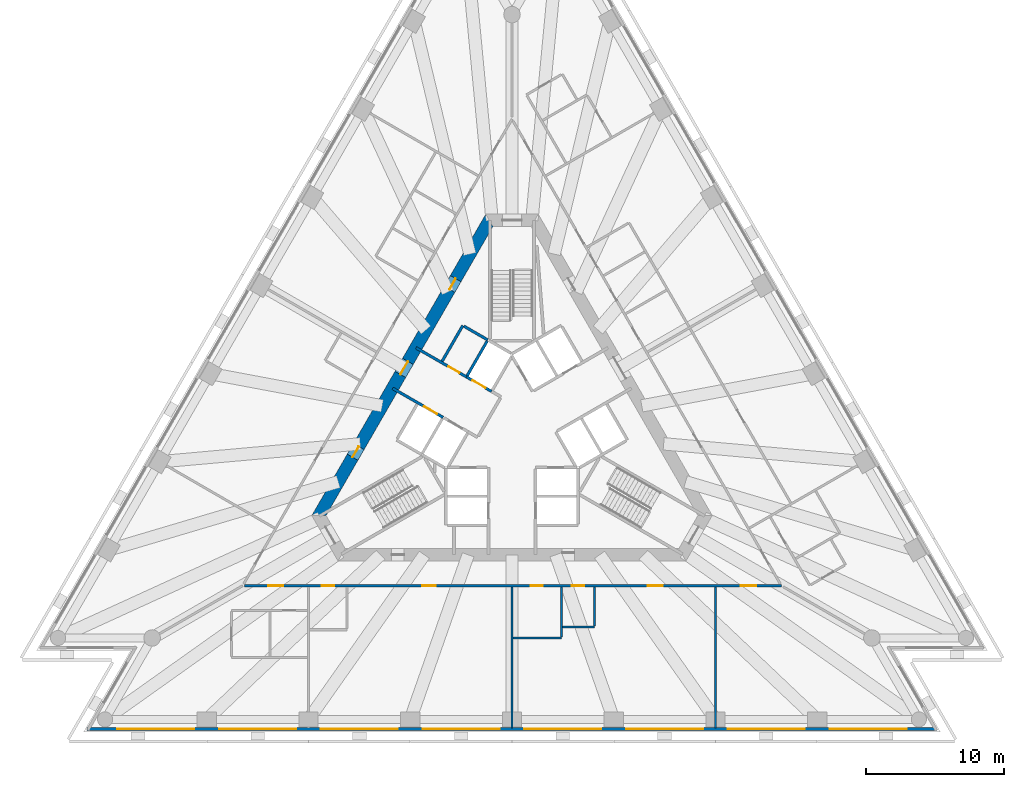
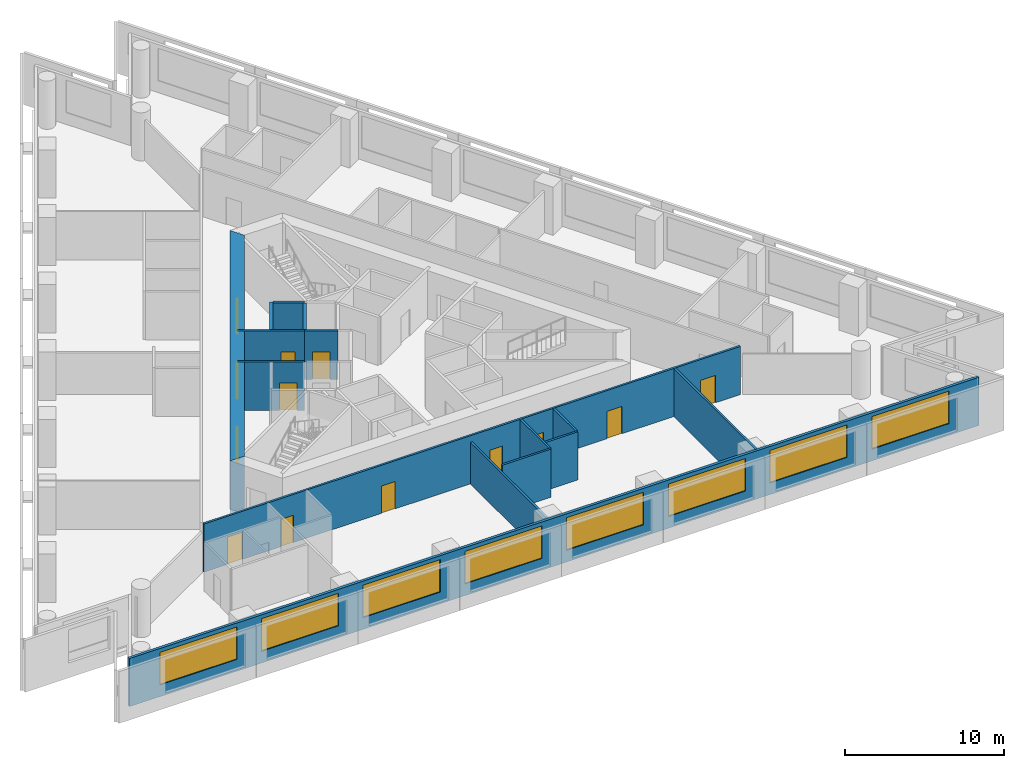
# One storey, part 4 of 11: 15 walls, 13 doors, 8 windows, 21 openings.
"""IFC4 building model written with IfcOpenShell, lengths in metres."""

from ifc_helpers import new_model, si_unit, direction, frame, frame_2d, origin, place, context, subcontext, project, spatial, polyline, rectangle, outline, extrude, material, layer, layer_set, layer_usage, type_object, element, fill, save


model = new_model("IFC4")

# Units and contexts
model_context = context("Model", 3, precision=1e-05, world=origin(), true_north=direction((0.0, 1.0)))
body_context = subcontext(model_context, "Body", "Model", "MODEL_VIEW")
ifc_project = project(units=[si_unit("LENGTHUNIT", "METRE"), si_unit("AREAUNIT", "SQUARE_METRE"), si_unit("VOLUMEUNIT", "CUBIC_METRE"), si_unit("PLANEANGLEUNIT", "RADIAN"), si_unit("MASSUNIT", "GRAM", prefix="KILO")], contexts=[model_context])

# Site, building, storey
site_placement = place(None, origin())
site = spatial("IfcSite", under=ifc_project, at=site_placement, CompositionType="ELEMENT")
building_placement = place(site_placement, origin())
building = spatial("IfcBuilding", under=site, at=building_placement, Name="Triada Interchange Tower", CompositionType="ELEMENT")
storey_placement = place(building_placement, frame((0.0, 0.0, 59.300048828125)))
storey = spatial("IfcBuildingStorey", under=building, at=storey_placement, Name="L12", CompositionType="ELEMENT", Elevation=59.300048828125)

# Wall, opening, door
ifc_material_1 = material(Name="Concrete C30/37", Category="concrete")
ifc_layer_1 = layer(ifc_material_1, 0.199951171875)
ifc_layer_set_1 = layer_set([ifc_layer_1], Name="CORE WALL 200 EI 180")
wall_type_1 = type_object("IfcWallType", Name="CORE WALL 200 EI 180", PredefinedType="SOLIDWALL", material=ifc_layer_set_1)
wall_1_placement = place(storey_placement, frame((-8.669921875, 3.04296875, 0.0), z_axis=(0.0, 0.0, 1.0), x_axis=(0.866029956157, -0.499992114976, 0.0)))
wall_1 = element("IfcWall", 1, at=wall_1_placement, inside=storey, type_object=wall_type_1, Name="Wall L12 69", PredefinedType="SOLIDWALL", context=body_context, shape_type="SweptSolid", body=[
    extrude(rectangle(XDim=4.23193359375, YDim=0.199951171875, at=frame_2d((2.115966796875, 0.0))), origin(), (0.0, 0.0, 1.0), 3.699951171875),
])
opening_1_placement = place(wall_1_placement, frame((2.6298828125, 0.0, 0.0)))
opening_1 = element("IfcOpeningElement", 2, at=opening_1_placement, cuts=wall_1, Name="Opening LD-SV1", PredefinedType="OPENING", context=body_context, shape_type="SweptSolid", body=[
    extrude(rectangle(XDim=1.10009765625, YDim=2.10009765625, at=frame_2d((0.550048828125, 1.050048828125))), frame((0.0, 0.10986328125, 0.0), z_axis=(0.0, -1.0, 0.0), x_axis=(1.0, 0.0, 0.0)), (0.0, 0.0, 1.0), 0.219970703125),
])
ifc_material_2 = material(Name="Steel S235 door leaf", Category="steel")
door_type_1 = type_object("IfcDoorType", Name="LIFT LANDING DOOR 1100 EI 120", OperationType="SLIDING_TO_LEFT", PredefinedType="DOOR", material=ifc_material_2)
door_1_placement = place(opening_1_placement, origin())
door_1 = element("IfcDoor", 3, at=door_1_placement, inside=storey, type_object=door_type_1, Name="SV1 landing door L12", OperationType="SLIDING_TO_LEFT", OverallHeight=2.10009765625, OverallWidth=1.10009765625, PredefinedType="DOOR", context=body_context, shape_type="SweptSolid", body=[
    extrude(rectangle(XDim=1.10009765625, YDim=2.10009765625, at=frame_2d((0.550048828125, 1.050048828125))), frame((0.0, 0.02490234375, 0.0), z_axis=(0.0, -1.0, 0.0), x_axis=(1.0, 0.0, 0.0)), (0.0, 0.0, 1.0), 0.050048828125),
])
fill(opening_1, door_1)

wall_2_placement = place(storey_placement, frame((-6.969970703125, 5.987060546875, 0.0), z_axis=(0.0, 0.0, 1.0), x_axis=(0.866029956157, -0.499992114976, 0.0)))
wall_2 = element("IfcWall", 4, at=wall_2_placement, inside=storey, type_object=wall_type_1, Name="Wall L12 71", PredefinedType="SOLIDWALL", context=body_context, shape_type="SweptSolid", body=[
    extrude(rectangle(XDim=4.23193359375, YDim=0.199951171875, at=frame_2d((2.115966796875, 0.0))), origin(), (0.0, 0.0, 1.0), 3.699951171875),
])
opening_2_placement = place(wall_2_placement, frame((2.72998046875, 0.0, 0.0)))
opening_2 = element("IfcOpeningElement", 5, at=opening_2_placement, cuts=wall_2, Name="Opening D12-10", PredefinedType="OPENING", context=body_context, shape_type="SweptSolid", body=[
    extrude(rectangle(XDim=0.89990234375, YDim=2.10009765625, at=frame_2d((0.449951171875, 1.050048828125))), frame((0.0, 0.10986328125, 0.0), z_axis=(0.0, -1.0, 0.0), x_axis=(1.0, 0.0, 0.0)), (0.0, 0.0, 1.0), 0.219970703125),
])
door_type_2 = type_object("IfcDoorType", Name="SERVICE DOOR 900 EI2 90-C5S200", OperationType="NOTDEFINED", PredefinedType="DOOR", material=ifc_material_2)
door_2_placement = place(opening_2_placement, origin())
door_2 = element("IfcDoor", 6, at=door_2_placement, inside=storey, type_object=door_type_2, Name="Door D12-10 L12", OperationType="SINGLE_SWING_LEFT", OverallHeight=2.10009765625, OverallWidth=0.89990234375, PredefinedType="DOOR", context=body_context, shape_type="SweptSolid", body=[
    extrude(rectangle(XDim=0.89990234375, YDim=2.10009765625, at=frame_2d((0.449951171875, 1.050048828125))), frame((0.0, 0.02490234375, 0.0), z_axis=(0.0, -1.0, 0.0), x_axis=(1.0, 0.0, 0.0)), (0.0, 0.0, 1.0), 0.050048828125),
])
fill(opening_2, door_2)

# Walls
wall_3_placement = place(storey_placement, frame((-5.075927734375, 5.009033203125, 0.0), z_axis=(0.0, 0.0, 1.0), x_axis=(0.50002537861, 0.866010750942, 0.0)))
element("IfcWall", 7, at=wall_3_placement, inside=storey, type_object=wall_type_1, Name="Wall L12 73", PredefinedType="SOLIDWALL", context=body_context, shape_type="SweptSolid", body=[
    extrude(rectangle(XDim=2.999755859375, YDim=0.199951171875, at=frame_2d((1.5, 0.0))), origin(), (0.0, 0.0, 1.0), 3.699951171875),
])
wall_4_placement = place(storey_placement, frame((-3.489013671875, 7.556884765625, 0.0), z_axis=(0.0, 0.0, 1.0), x_axis=(0.866010750942, -0.50002537861, 0.0)))
element("IfcWall", 8, at=wall_4_placement, inside=storey, type_object=wall_type_1, Name="Wall L12 74", PredefinedType="SOLIDWALL", context=body_context, shape_type="SweptSolid", body=[
    extrude(rectangle(XDim=2.0, YDim=0.199951171875, at=frame_2d((1.0, 0.0))), origin(), (0.0, 0.0, 1.0), 3.699951171875),
])

# Wall, opening, door
wall_5_placement = place(storey_placement, frame((-3.30908203125, 3.873046875, 0.0), z_axis=(0.0, 0.0, 1.0), x_axis=(0.866098583652, -0.499873227325, 0.0)))
wall_5 = element("IfcWall", 9, at=wall_5_placement, inside=storey, type_object=wall_type_1, Name="Shaft wall FF2 L12 80", PredefinedType="SOLIDWALL", context=body_context, shape_type="SweptSolid", body=[
    extrude(rectangle(XDim=2.1025390625, YDim=0.199951171875, at=frame_2d((1.05126953125, 0.0))), origin(), (0.0, 0.0, 1.0), 3.699951171875),
])
opening_3_placement = place(wall_5_placement, frame((0.501953125, 0.0, 0.0)))
opening_3 = element("IfcOpeningElement", 10, at=opening_3_placement, cuts=wall_5, Name="Opening LD-FF2", PredefinedType="OPENING", context=body_context, shape_type="SweptSolid", body=[
    extrude(rectangle(XDim=1.10009765625, YDim=2.10009765625, at=frame_2d((0.550048828125, 1.050048828125))), frame((0.0, 0.10986328125, 0.0), z_axis=(0.0, -1.0, 0.0), x_axis=(1.0, 0.0, 0.0)), (0.0, 0.0, 1.0), 0.219970703125),
])
door_3_placement = place(opening_3_placement, origin())
door_3 = element("IfcDoor", 11, at=door_3_placement, inside=storey, type_object=door_type_1, Name="FF2 landing door L12", OperationType="SLIDING_TO_LEFT", OverallHeight=2.10009765625, OverallWidth=1.10009765625, PredefinedType="DOOR", context=body_context, shape_type="SweptSolid", body=[
    extrude(rectangle(XDim=1.10009765625, YDim=2.10009765625, at=frame_2d((0.550048828125, 1.050048828125))), frame((0.0, 0.02490234375, 0.0), z_axis=(0.0, -1.0, 0.0), x_axis=(1.0, 0.0, 0.0)), (0.0, 0.0, 1.0), 0.050048828125),
])
fill(opening_3, door_3)

# Wall
wall_6_placement = place(storey_placement, frame((-3.257080078125, 3.958984375, 0.0), z_axis=(0.0, 0.0, 1.0), x_axis=(0.50012328804, 0.865954211699, 0.0)))
element("IfcWall", 12, at=wall_6_placement, inside=storey, type_object=wall_type_1, Name="Shaft wall FF2 L12 81", PredefinedType="SOLIDWALL", context=body_context, shape_type="SweptSolid", body=[
    extrude(rectangle(XDim=2.899658203125, YDim=0.199951171875, at=frame_2d((1.44970703125, 0.0))), origin(), (0.0, 0.0, 1.0), 3.699951171875),
])

# Wall, openings, doors
ifc_material_3 = material(Name="Concrete C70/85", Category="concrete")
ifc_layer_2 = layer(ifc_material_3, 0.89990234375)
ifc_layer_set_2 = layer_set([ifc_layer_2], Name="Core wall A 900")
wall_type_2 = type_object("IfcWallType", Name="Core wall A 900", PredefinedType="SHEAR", material=ifc_layer_set_2)
wall_7_placement = place(storey_placement, frame((-1.64501953125, 15.25, -0.300048828125), z_axis=(0.0, 0.0, 1.0), x_axis=(-0.500026485275, -0.866010111964, 0.0)))
wall_7 = element("IfcWall", 13, at=wall_7_placement, inside=storey, type_object=wall_type_2, Name="Core wall WA02 L12", PredefinedType="SHEAR", context=body_context, shape_type="SweptSolid", body=[
    extrude(outline(polyline([(-0.260009765625, -0.449951171875), (1.685302734375, -0.449951171875), (3.63037109375, -0.44970703125), (5.57568359375, -0.44970703125), (7.52099609375, -0.44970703125), (9.466064453125, -0.449462890625), (11.411376953125, -0.449462890625), (13.356689453125, -0.449462890625), (15.302001953125, -0.449462890625), (17.2470703125, -0.44921875), (19.1923828125, -0.44921875), (21.1376953125, -0.44921875), (23.082763671875, -0.448974609375), (25.028076171875, -0.448974609375), (24.509033203125, 0.449951171875), (22.643798828125, 0.449951171875), (20.7783203125, 0.44970703125), (18.9130859375, 0.44970703125), (17.0478515625, 0.44970703125), (15.182373046875, 0.449462890625), (13.317138671875, 0.449462890625), (11.451904296875, 0.449462890625), (9.586669921875, 0.449462890625), (7.72119140625, 0.44921875), (5.85595703125, 0.44921875), (3.99072265625, 0.44921875), (2.125244140625, 0.448974609375), (0.260009765625, 0.448974609375), (-0.260009765625, -0.449951171875)])), origin(), (0.0, 0.0, 1.0), 4.0),
])
opening_4_placement = place(wall_7_placement, frame((11.833984375, 0.0, 0.300048828125)))
opening_4 = element("IfcOpeningElement", 14, at=opening_4_placement, cuts=wall_7, Name="Opening D12-44", PredefinedType="OPENING", context=body_context, shape_type="SweptSolid", body=[
    extrude(rectangle(XDim=1.10009765625, YDim=2.10009765625, at=frame_2d((0.550048828125, 1.050048828125))), frame((0.0, 0.4599609375, 0.0), z_axis=(0.0, -1.0, 0.0), x_axis=(1.0, 0.0, 0.0)), (0.0, 0.0, 1.0), 0.919921875),
])
opening_5_placement = place(wall_7_placement, frame((18.97607421875, 0.0, 0.300048828125)))
opening_5 = element("IfcOpeningElement", 15, at=opening_5_placement, cuts=wall_7, Name="Opening D12-45", PredefinedType="OPENING", context=body_context, shape_type="SweptSolid", body=[
    extrude(rectangle(XDim=0.89990234375, YDim=2.10009765625, at=frame_2d((0.449951171875, 1.050048828125))), frame((0.0, 0.4599609375, 0.0), z_axis=(0.0, -1.0, 0.0), x_axis=(1.0, 0.0, 0.0)), (0.0, 0.0, 1.0), 0.919921875),
])
opening_6_placement = place(wall_7_placement, frame((4.89208984375, 0.0, 0.300048828125)))
opening_6 = element("IfcOpeningElement", 16, at=opening_6_placement, cuts=wall_7, Name="Opening D12-48", PredefinedType="OPENING", context=body_context, shape_type="SweptSolid", body=[
    extrude(rectangle(XDim=0.89990234375, YDim=2.10009765625, at=frame_2d((0.449951171875, 1.050048828125))), frame((0.0, 0.4599609375, 0.0), z_axis=(0.0, -1.0, 0.0), x_axis=(1.0, 0.0, 0.0)), (0.0, 0.0, 1.0), 0.919921875),
])
door_type_3 = type_object("IfcDoorType", Name="FIRE LOBBY DOOR 1100 EI2 90-C5S200", OperationType="NOTDEFINED", PredefinedType="DOOR", material=ifc_material_2)
door_4_placement = place(opening_4_placement, origin())
door_4 = element("IfcDoor", 17, at=door_4_placement, inside=storey, type_object=door_type_3, Name="Door D12-44 L12", OperationType="SINGLE_SWING_LEFT", OverallHeight=2.10009765625, OverallWidth=1.10009765625, PredefinedType="DOOR", context=body_context, shape_type="SweptSolid", body=[
    extrude(rectangle(XDim=1.10009765625, YDim=2.10009765625, at=frame_2d((0.550048828125, 1.050048828125))), frame((0.0, 0.02490234375, 0.0), z_axis=(0.0, -1.0, 0.0), x_axis=(1.0, 0.0, 0.0)), (0.0, 0.0, 1.0), 0.050048828125),
])
fill(opening_4, door_4)
door_type_4 = type_object("IfcDoorType", Name="SERVICE DOOR 900 EI2 45-C5S200", OperationType="NOTDEFINED", PredefinedType="DOOR", material=ifc_material_2)
door_5_placement = place(opening_5_placement, origin())
door_5 = element("IfcDoor", 18, at=door_5_placement, inside=storey, type_object=door_type_4, Name="Door D12-45 L12", OperationType="SINGLE_SWING_LEFT", OverallHeight=2.10009765625, OverallWidth=0.89990234375, PredefinedType="DOOR", context=body_context, shape_type="SweptSolid", body=[
    extrude(rectangle(XDim=0.89990234375, YDim=2.10009765625, at=frame_2d((0.449951171875, 1.050048828125))), frame((0.0, 0.02490234375, 0.0), z_axis=(0.0, -1.0, 0.0), x_axis=(1.0, 0.0, 0.0)), (0.0, 0.0, 1.0), 0.050048828125),
])
fill(opening_5, door_5)
door_6_placement = place(opening_6_placement, origin())
door_6 = element("IfcDoor", 19, at=door_6_placement, inside=storey, type_object=door_type_4, Name="Door D12-48 L12", OperationType="SINGLE_SWING_LEFT", OverallHeight=2.10009765625, OverallWidth=0.89990234375, PredefinedType="DOOR", context=body_context, shape_type="SweptSolid", body=[
    extrude(rectangle(XDim=0.89990234375, YDim=2.10009765625, at=frame_2d((0.449951171875, 1.050048828125))), frame((0.0, 0.02490234375, 0.0), z_axis=(0.0, -1.0, 0.0), x_axis=(1.0, 0.0, 0.0)), (0.0, 0.0, 1.0), 0.050048828125),
])
fill(opening_6, door_6)

# Wall, openings, windows
ifc_material_4 = material(Name="Cement board")
ifc_layer_3 = layer(ifc_material_4, 0.02001953125, Name="Cement board cladding")
ifc_material_5 = material(Name="Sheathing board")
ifc_layer_4 = layer(ifc_material_5, 0.014892578125, Name="Sheathing board")
ifc_material_6 = material(Name="Mineral wool")
ifc_layer_5 = layer(ifc_material_6, 0.14990234375, Name="Mineral wool between steel studs")
ifc_material_7 = material(Name="Gypsum board")
ifc_layer_6 = layer(ifc_material_7, 0.014892578125, Name="Plasterboard lining")
ifc_layer_set_3 = layer_set([ifc_layer_3, ifc_layer_4, ifc_layer_5, ifc_layer_6], Name="External wall 200")
ifc_layer_usage = layer_usage(ifc_layer_set_3, "AXIS2", "POSITIVE", -0.10009765625)
wall_type_3 = type_object("IfcWallType", Name="External wall 200", PredefinedType="ELEMENTEDWALL", material=ifc_layer_set_3)
wall_8_placement = place(storey_placement, frame((-30.868896484375, -21.715087890625, 0.0), z_axis=(0.0, 0.0, 1.0), x_axis=(1.0, 0.0, 0.0)))
wall_8 = element("IfcWall", 20, at=wall_8_placement, inside=storey, type_object=wall_type_3, material=ifc_layer_usage, Name="External wall L12 S", PredefinedType="ELEMENTEDWALL", context=body_context, shape_type="SweptSolid", body=[
    extrude(rectangle(XDim=61.718017578125, YDim=0.199951171875, at=frame_2d((30.85888671875, 0.0))), origin(), (0.0, 0.0, 1.0), 3.699951171875),
])
opening_7_placement = place(wall_8_placement, frame((2.198974609375, 0.0, 0.89990234375)))
opening_7 = element("IfcOpeningElement", 21, at=opening_7_placement, cuts=wall_8, Name="Opening WA11", PredefinedType="OPENING", context=body_context, shape_type="SweptSolid", body=[
    extrude(rectangle(XDim=5.60009765625, YDim=2.5, at=frame_2d((2.800048828125, 1.25))), frame((0.0, 0.10986328125, 0.0), z_axis=(0.0, -1.0, 0.0), x_axis=(1.0, 0.0, 0.0)), (0.0, 0.0, 1.0), 0.219970703125),
])
opening_8_placement = place(wall_8_placement, frame((9.590087890625, 0.0, 0.89990234375)))
opening_8 = element("IfcOpeningElement", 22, at=opening_8_placement, cuts=wall_8, Name="Opening WA12", PredefinedType="OPENING", context=body_context, shape_type="SweptSolid", body=[
    extrude(rectangle(XDim=5.60009765625, YDim=2.5, at=frame_2d((2.800048828125, 1.25))), frame((0.0, 0.10986328125, 0.0), z_axis=(0.0, -1.0, 0.0), x_axis=(1.0, 0.0, 0.0)), (0.0, 0.0, 1.0), 0.219970703125),
])
opening_9_placement = place(wall_8_placement, frame((16.98193359375, 0.0, 0.89990234375)))
opening_9 = element("IfcOpeningElement", 23, at=opening_9_placement, cuts=wall_8, Name="Opening WA13", PredefinedType="OPENING", context=body_context, shape_type="SweptSolid", body=[
    extrude(rectangle(XDim=5.60009765625, YDim=2.5, at=frame_2d((2.800048828125, 1.25))), frame((0.0, 0.10986328125, 0.0), z_axis=(0.0, -1.0, 0.0), x_axis=(1.0, 0.0, 0.0)), (0.0, 0.0, 1.0), 0.219970703125),
])
opening_10_placement = place(wall_8_placement, frame((24.373046875, 0.0, 0.89990234375)))
opening_10 = element("IfcOpeningElement", 24, at=opening_10_placement, cuts=wall_8, Name="Opening WA14", PredefinedType="OPENING", context=body_context, shape_type="SweptSolid", body=[
    extrude(rectangle(XDim=5.60009765625, YDim=2.5, at=frame_2d((2.800048828125, 1.25))), frame((0.0, 0.10986328125, 0.0), z_axis=(0.0, -1.0, 0.0), x_axis=(1.0, 0.0, 0.0)), (0.0, 0.0, 1.0), 0.219970703125),
])
opening_11_placement = place(wall_8_placement, frame((31.764892578125, 0.0, 0.89990234375)))
opening_11 = element("IfcOpeningElement", 25, at=opening_11_placement, cuts=wall_8, Name="Opening WA15", PredefinedType="OPENING", context=body_context, shape_type="SweptSolid", body=[
    extrude(rectangle(XDim=5.60009765625, YDim=2.5, at=frame_2d((2.800048828125, 1.25))), frame((0.0, 0.10986328125, 0.0), z_axis=(0.0, -1.0, 0.0), x_axis=(1.0, 0.0, 0.0)), (0.0, 0.0, 1.0), 0.219970703125),
])
opening_12_placement = place(wall_8_placement, frame((39.156005859375, 0.0, 0.89990234375)))
opening_12 = element("IfcOpeningElement", 26, at=opening_12_placement, cuts=wall_8, Name="Opening WA16", PredefinedType="OPENING", context=body_context, shape_type="SweptSolid", body=[
    extrude(rectangle(XDim=5.60009765625, YDim=2.5, at=frame_2d((2.800048828125, 1.25))), frame((0.0, 0.10986328125, 0.0), z_axis=(0.0, -1.0, 0.0), x_axis=(1.0, 0.0, 0.0)), (0.0, 0.0, 1.0), 0.219970703125),
])
opening_13_placement = place(wall_8_placement, frame((46.548095703125, 0.0, 0.89990234375)))
opening_13 = element("IfcOpeningElement", 27, at=opening_13_placement, cuts=wall_8, Name="Opening WA17", PredefinedType="OPENING", context=body_context, shape_type="SweptSolid", body=[
    extrude(rectangle(XDim=5.60009765625, YDim=2.5, at=frame_2d((2.800048828125, 1.25))), frame((0.0, 0.10986328125, 0.0), z_axis=(0.0, -1.0, 0.0), x_axis=(1.0, 0.0, 0.0)), (0.0, 0.0, 1.0), 0.219970703125),
])
opening_14_placement = place(wall_8_placement, frame((53.93896484375, 0.0, 0.89990234375)))
opening_14 = element("IfcOpeningElement", 28, at=opening_14_placement, cuts=wall_8, Name="Opening WA18", PredefinedType="OPENING", context=body_context, shape_type="SweptSolid", body=[
    extrude(rectangle(XDim=5.60009765625, YDim=2.5, at=frame_2d((2.800048828125, 1.25))), frame((0.0, 0.10986328125, 0.0), z_axis=(0.0, -1.0, 0.0), x_axis=(1.0, 0.0, 0.0)), (0.0, 0.0, 1.0), 0.219970703125),
])
ifc_material_8 = material(Name="Double glazed aluminium window", Category="aluminium")
window_type = type_object("IfcWindowType", Name="Ribbon window A face", PartitioningType="SINGLE_PANEL", PredefinedType="WINDOW", material=ifc_material_8)
window_1_placement = place(opening_7_placement, origin())
window_1 = element("IfcWindow", 29, at=window_1_placement, inside=storey, type_object=window_type, Name="Window L12 S 1", OverallHeight=2.5, OverallWidth=5.60009765625, PartitioningType="SINGLE_PANEL", PredefinedType="WINDOW", context=body_context, shape_type="SweptSolid", body=[
    extrude(rectangle(XDim=5.60009765625, YDim=2.5, at=frame_2d((2.800048828125, 1.25))), frame((0.0, 0.030029296875, 0.0), z_axis=(0.0, -1.0, 0.0), x_axis=(1.0, 0.0, 0.0)), (0.0, 0.0, 1.0), 0.06005859375),
])
fill(opening_7, window_1)
window_2_placement = place(opening_8_placement, origin())
window_2 = element("IfcWindow", 30, at=window_2_placement, inside=storey, type_object=window_type, Name="Window L12 S 2", OverallHeight=2.5, OverallWidth=5.60009765625, PartitioningType="SINGLE_PANEL", PredefinedType="WINDOW", context=body_context, shape_type="SweptSolid", body=[
    extrude(rectangle(XDim=5.60009765625, YDim=2.5, at=frame_2d((2.800048828125, 1.25))), frame((0.0, 0.030029296875, 0.0), z_axis=(0.0, -1.0, 0.0), x_axis=(1.0, 0.0, 0.0)), (0.0, 0.0, 1.0), 0.06005859375),
])
fill(opening_8, window_2)
window_3_placement = place(opening_9_placement, origin())
window_3 = element("IfcWindow", 31, at=window_3_placement, inside=storey, type_object=window_type, Name="Window L12 S 3", OverallHeight=2.5, OverallWidth=5.60009765625, PartitioningType="SINGLE_PANEL", PredefinedType="WINDOW", context=body_context, shape_type="SweptSolid", body=[
    extrude(rectangle(XDim=5.60009765625, YDim=2.5, at=frame_2d((2.800048828125, 1.25))), frame((0.0, 0.030029296875, 0.0), z_axis=(0.0, -1.0, 0.0), x_axis=(1.0, 0.0, 0.0)), (0.0, 0.0, 1.0), 0.06005859375),
])
fill(opening_9, window_3)
window_4_placement = place(opening_10_placement, origin())
window_4 = element("IfcWindow", 32, at=window_4_placement, inside=storey, type_object=window_type, Name="Window L12 S 4", OverallHeight=2.5, OverallWidth=5.60009765625, PartitioningType="SINGLE_PANEL", PredefinedType="WINDOW", context=body_context, shape_type="SweptSolid", body=[
    extrude(rectangle(XDim=5.60009765625, YDim=2.5, at=frame_2d((2.800048828125, 1.25))), frame((0.0, 0.030029296875, 0.0), z_axis=(0.0, -1.0, 0.0), x_axis=(1.0, 0.0, 0.0)), (0.0, 0.0, 1.0), 0.06005859375),
])
fill(opening_10, window_4)
window_5_placement = place(opening_11_placement, origin())
window_5 = element("IfcWindow", 33, at=window_5_placement, inside=storey, type_object=window_type, Name="Window L12 S 5", OverallHeight=2.5, OverallWidth=5.60009765625, PartitioningType="SINGLE_PANEL", PredefinedType="WINDOW", context=body_context, shape_type="SweptSolid", body=[
    extrude(rectangle(XDim=5.60009765625, YDim=2.5, at=frame_2d((2.800048828125, 1.25))), frame((0.0, 0.030029296875, 0.0), z_axis=(0.0, -1.0, 0.0), x_axis=(1.0, 0.0, 0.0)), (0.0, 0.0, 1.0), 0.06005859375),
])
fill(opening_11, window_5)
window_6_placement = place(opening_12_placement, origin())
window_6 = element("IfcWindow", 34, at=window_6_placement, inside=storey, type_object=window_type, Name="Window L12 S 6", OverallHeight=2.5, OverallWidth=5.60009765625, PartitioningType="SINGLE_PANEL", PredefinedType="WINDOW", context=body_context, shape_type="SweptSolid", body=[
    extrude(rectangle(XDim=5.60009765625, YDim=2.5, at=frame_2d((2.800048828125, 1.25))), frame((0.0, 0.030029296875, 0.0), z_axis=(0.0, -1.0, 0.0), x_axis=(1.0, 0.0, 0.0)), (0.0, 0.0, 1.0), 0.06005859375),
])
fill(opening_12, window_6)
window_7_placement = place(opening_13_placement, origin())
window_7 = element("IfcWindow", 35, at=window_7_placement, inside=storey, type_object=window_type, Name="Window L12 S 7", OverallHeight=2.5, OverallWidth=5.60009765625, PartitioningType="SINGLE_PANEL", PredefinedType="WINDOW", context=body_context, shape_type="SweptSolid", body=[
    extrude(rectangle(XDim=5.60009765625, YDim=2.5, at=frame_2d((2.800048828125, 1.25))), frame((0.0, 0.030029296875, 0.0), z_axis=(0.0, -1.0, 0.0), x_axis=(1.0, 0.0, 0.0)), (0.0, 0.0, 1.0), 0.06005859375),
])
fill(opening_13, window_7)
window_8_placement = place(opening_14_placement, origin())
window_8 = element("IfcWindow", 36, at=window_8_placement, inside=storey, type_object=window_type, Name="Window L12 S 8", OverallHeight=2.5, OverallWidth=5.60009765625, PartitioningType="SINGLE_PANEL", PredefinedType="WINDOW", context=body_context, shape_type="SweptSolid", body=[
    extrude(rectangle(XDim=5.60009765625, YDim=2.5, at=frame_2d((2.800048828125, 1.25))), frame((0.0, 0.030029296875, 0.0), z_axis=(0.0, -1.0, 0.0), x_axis=(1.0, 0.0, 0.0)), (0.0, 0.0, 1.0), 0.06005859375),
])
fill(opening_14, window_8)

# Wall, openings, doors
ifc_material_9 = material(Name="Gypsum board partition")
ifc_layer_7 = layer(ifc_material_9, 0.14990234375)
ifc_layer_set_4 = layer_set([ifc_layer_7], Name="PARTITION 150 EI 180")
wall_type_4 = type_object("IfcWallType", Name="PARTITION 150 EI 180", PredefinedType="PARTITIONING", material=ifc_layer_set_4)
wall_9_placement = place(storey_placement, frame((-19.422119140625, -11.300048828125, 0.0), z_axis=(0.0, 0.0, 1.0), x_axis=(1.0, 0.0, 0.0)))
wall_9 = element("IfcWall", 37, at=wall_9_placement, inside=storey, type_object=wall_type_4, Name="Wall L12 5", PredefinedType="PARTITIONING", context=body_context, shape_type="SweptSolid", body=[
    extrude(rectangle(XDim=38.994140625, YDim=0.14990234375, at=frame_2d((19.4970703125, 0.0))), origin(), (0.0, 0.0, 1.0), 3.699951171875),
])
opening_15_placement = place(wall_9_placement, frame((1.699951171875, 0.0, 0.0)))
opening_15 = element("IfcOpeningElement", 38, at=opening_15_placement, cuts=wall_9, Name="Opening D12-11", PredefinedType="OPENING", context=body_context, shape_type="SweptSolid", body=[
    extrude(rectangle(XDim=1.10009765625, YDim=2.10009765625, at=frame_2d((0.550048828125, 1.050048828125))), frame((0.0, 0.0849609375, 0.0), z_axis=(0.0, -1.0, 0.0), x_axis=(1.0, 0.0, 0.0)), (0.0, 0.0, 1.0), 0.169921875),
])
opening_16_placement = place(wall_9_placement, frame((12.888916015625, 0.0, 0.0)))
opening_16 = element("IfcOpeningElement", 39, at=opening_16_placement, cuts=wall_9, Name="Opening D12-14", PredefinedType="OPENING", context=body_context, shape_type="SweptSolid", body=[
    extrude(rectangle(XDim=1.0, YDim=2.10009765625, at=frame_2d((0.5, 1.050048828125))), frame((0.0, 0.0849609375, 0.0), z_axis=(0.0, -1.0, 0.0), x_axis=(1.0, 0.0, 0.0)), (0.0, 0.0, 1.0), 0.169921875),
])
opening_17_placement = place(wall_9_placement, frame((5.589111328125, 0.0, 0.0)))
opening_17 = element("IfcOpeningElement", 40, at=opening_17_placement, cuts=wall_9, Name="Opening D12-15", PredefinedType="OPENING", context=body_context, shape_type="SweptSolid", body=[
    extrude(rectangle(XDim=0.89990234375, YDim=2.10009765625, at=frame_2d((0.449951171875, 1.050048828125))), frame((0.0, 0.0849609375, 0.0), z_axis=(0.0, -1.0, 0.0), x_axis=(1.0, 0.0, 0.0)), (0.0, 0.0, 1.0), 0.169921875),
])
opening_18_placement = place(wall_9_placement, frame((29.27197265625, 0.0, 0.0)))
opening_18 = element("IfcOpeningElement", 41, at=opening_18_placement, cuts=wall_9, Name="Opening D12-16", PredefinedType="OPENING", context=body_context, shape_type="SweptSolid", body=[
    extrude(rectangle(XDim=1.10009765625, YDim=2.10009765625, at=frame_2d((0.550048828125, 1.050048828125))), frame((0.0, 0.0849609375, 0.0), z_axis=(0.0, -1.0, 0.0), x_axis=(1.0, 0.0, 0.0)), (0.0, 0.0, 1.0), 0.169921875),
])
opening_19_placement = place(wall_9_placement, frame((20.77197265625, 0.0, 0.0)))
opening_19 = element("IfcOpeningElement", 42, at=opening_19_placement, cuts=wall_9, Name="Opening D12-17", PredefinedType="OPENING", context=body_context, shape_type="SweptSolid", body=[
    extrude(rectangle(XDim=0.89990234375, YDim=2.10009765625, at=frame_2d((0.449951171875, 1.050048828125))), frame((0.0, 0.0849609375, 0.0), z_axis=(0.0, -1.0, 0.0), x_axis=(1.0, 0.0, 0.0)), (0.0, 0.0, 1.0), 0.169921875),
])
opening_20_placement = place(wall_9_placement, frame((23.77197265625, 0.0, 0.0)))
opening_20 = element("IfcOpeningElement", 43, at=opening_20_placement, cuts=wall_9, Name="Opening D12-18", PredefinedType="OPENING", context=body_context, shape_type="SweptSolid", body=[
    extrude(rectangle(XDim=0.89990234375, YDim=2.10009765625, at=frame_2d((0.449951171875, 1.050048828125))), frame((0.0, 0.0849609375, 0.0), z_axis=(0.0, -1.0, 0.0), x_axis=(1.0, 0.0, 0.0)), (0.0, 0.0, 1.0), 0.169921875),
])
opening_21_placement = place(wall_9_placement, frame((36.054931640625, 0.0, 0.0)))
opening_21 = element("IfcOpeningElement", 44, at=opening_21_placement, cuts=wall_9, Name="Opening D12-19", PredefinedType="OPENING", context=body_context, shape_type="SweptSolid", body=[
    extrude(rectangle(XDim=1.10009765625, YDim=2.10009765625, at=frame_2d((0.550048828125, 1.050048828125))), frame((0.0, 0.0849609375, 0.0), z_axis=(0.0, -1.0, 0.0), x_axis=(1.0, 0.0, 0.0)), (0.0, 0.0, 1.0), 0.169921875),
])
door_type_5 = type_object("IfcDoorType", Name="ROOM DOOR 1000 EI2 90-C5S200", OperationType="NOTDEFINED", PredefinedType="DOOR", material=ifc_material_2)
door_7_placement = place(opening_16_placement, origin())
door_7 = element("IfcDoor", 45, at=door_7_placement, inside=storey, type_object=door_type_5, Name="Door D12-14 L12", OperationType="SINGLE_SWING_LEFT", OverallHeight=2.10009765625, OverallWidth=1.0, PredefinedType="DOOR", context=body_context, shape_type="SweptSolid", body=[
    extrude(rectangle(XDim=1.0, YDim=2.10009765625, at=frame_2d((0.5, 1.050048828125))), frame((0.0, 0.02490234375, 0.0), z_axis=(0.0, -1.0, 0.0), x_axis=(1.0, 0.0, 0.0)), (0.0, 0.0, 1.0), 0.050048828125),
])
fill(opening_16, door_7)
door_type_6 = type_object("IfcDoorType", Name="ROOM DOOR 900 EI2 90-C5S200", OperationType="NOTDEFINED", PredefinedType="DOOR", material=ifc_material_2)
door_8_placement = place(opening_17_placement, origin())
door_8 = element("IfcDoor", 46, at=door_8_placement, inside=storey, type_object=door_type_6, Name="Door D12-15 L12", OperationType="SINGLE_SWING_RIGHT", OverallHeight=2.10009765625, OverallWidth=0.89990234375, PredefinedType="DOOR", context=body_context, shape_type="SweptSolid", body=[
    extrude(rectangle(XDim=0.89990234375, YDim=2.10009765625, at=frame_2d((0.449951171875, 1.050048828125))), frame((0.0, 0.02490234375, 0.0), z_axis=(0.0, -1.0, 0.0), x_axis=(1.0, 0.0, 0.0)), (0.0, 0.0, 1.0), 0.050048828125),
])
fill(opening_17, door_8)
door_9_placement = place(opening_19_placement, origin())
door_9 = element("IfcDoor", 47, at=door_9_placement, inside=storey, type_object=door_type_6, Name="Door D12-17 L12", OperationType="SINGLE_SWING_RIGHT", OverallHeight=2.10009765625, OverallWidth=0.89990234375, PredefinedType="DOOR", context=body_context, shape_type="SweptSolid", body=[
    extrude(rectangle(XDim=0.89990234375, YDim=2.10009765625, at=frame_2d((0.449951171875, 1.050048828125))), frame((0.0, 0.02490234375, 0.0), z_axis=(0.0, -1.0, 0.0), x_axis=(1.0, 0.0, 0.0)), (0.0, 0.0, 1.0), 0.050048828125),
])
fill(opening_19, door_9)
door_10_placement = place(opening_20_placement, origin())
door_10 = element("IfcDoor", 48, at=door_10_placement, inside=storey, type_object=door_type_6, Name="Door D12-18 L12", OperationType="SINGLE_SWING_RIGHT", OverallHeight=2.10009765625, OverallWidth=0.89990234375, PredefinedType="DOOR", context=body_context, shape_type="SweptSolid", body=[
    extrude(rectangle(XDim=0.89990234375, YDim=2.10009765625, at=frame_2d((0.449951171875, 1.050048828125))), frame((0.0, 0.02490234375, 0.0), z_axis=(0.0, -1.0, 0.0), x_axis=(1.0, 0.0, 0.0)), (0.0, 0.0, 1.0), 0.050048828125),
])
fill(opening_20, door_10)
door_type_7 = type_object("IfcDoorType", Name="TENANCY ENTRANCE DOOR 1100 EI2 90-C5S200", OperationType="NOTDEFINED", PredefinedType="DOOR", material=ifc_material_2)
door_11_placement = place(opening_15_placement, origin())
door_11 = element("IfcDoor", 49, at=door_11_placement, inside=storey, type_object=door_type_7, Name="Door D12-11 L12", OperationType="SINGLE_SWING_RIGHT", OverallHeight=2.10009765625, OverallWidth=1.10009765625, PredefinedType="DOOR", context=body_context, shape_type="SweptSolid", body=[
    extrude(rectangle(XDim=1.10009765625, YDim=2.10009765625, at=frame_2d((0.550048828125, 1.050048828125))), frame((0.0, 0.02490234375, 0.0), z_axis=(0.0, -1.0, 0.0), x_axis=(1.0, 0.0, 0.0)), (0.0, 0.0, 1.0), 0.050048828125),
])
fill(opening_15, door_11)
door_12_placement = place(opening_18_placement, origin())
door_12 = element("IfcDoor", 50, at=door_12_placement, inside=storey, type_object=door_type_7, Name="Door D12-16 L12", OperationType="SINGLE_SWING_RIGHT", OverallHeight=2.10009765625, OverallWidth=1.10009765625, PredefinedType="DOOR", context=body_context, shape_type="SweptSolid", body=[
    extrude(rectangle(XDim=1.10009765625, YDim=2.10009765625, at=frame_2d((0.550048828125, 1.050048828125))), frame((0.0, 0.02490234375, 0.0), z_axis=(0.0, -1.0, 0.0), x_axis=(1.0, 0.0, 0.0)), (0.0, 0.0, 1.0), 0.050048828125),
])
fill(opening_18, door_12)
door_13_placement = place(opening_21_placement, origin())
door_13 = element("IfcDoor", 51, at=door_13_placement, inside=storey, type_object=door_type_7, Name="Door D12-19 L12", OperationType="SINGLE_SWING_LEFT", OverallHeight=2.10009765625, OverallWidth=1.10009765625, PredefinedType="DOOR", context=body_context, shape_type="SweptSolid", body=[
    extrude(rectangle(XDim=1.10009765625, YDim=2.10009765625, at=frame_2d((0.550048828125, 1.050048828125))), frame((0.0, 0.02490234375, 0.0), z_axis=(0.0, -1.0, 0.0), x_axis=(1.0, 0.0, 0.0)), (0.0, 0.0, 1.0), 0.050048828125),
])
fill(opening_21, door_13)

# Walls
wall_10_placement = place(storey_placement, frame((0.0, -21.635009765625, 0.0), z_axis=(0.0, 0.0, 1.0), x_axis=(0.0, 1.0, 0.0)))
element("IfcWall", 52, at=wall_10_placement, inside=storey, type_object=wall_type_4, Name="Wall L12 18", PredefinedType="PARTITIONING", context=body_context, shape_type="SweptSolid", body=[
    extrude(rectangle(XDim=10.260009765625, YDim=0.14990234375, at=frame_2d((5.1298828125, 0.0))), origin(), (0.0, 0.0, 1.0), 3.199951171875),
])
wall_11_placement = place(storey_placement, frame((0.074951171875, -15.10009765625, 0.0), z_axis=(0.0, 0.0, 1.0), x_axis=(1.0, 0.0, 0.0)))
element("IfcWall", 53, at=wall_11_placement, inside=storey, type_object=wall_type_4, Name="Wall L12 20", PredefinedType="PARTITIONING", context=body_context, shape_type="SweptSolid", body=[
    extrude(rectangle(XDim=3.525146484375, YDim=0.14990234375, at=frame_2d((1.7626953125, 0.0))), origin(), (0.0, 0.0, 1.0), 3.699951171875),
])
wall_12_placement = place(storey_placement, frame((3.60009765625, -15.02490234375, 0.0), z_axis=(0.0, 0.0, 1.0), x_axis=(0.0, 1.0, 0.0)))
element("IfcWall", 54, at=wall_12_placement, inside=storey, type_object=wall_type_4, Name="Wall L12 21", PredefinedType="PARTITIONING", context=body_context, shape_type="SweptSolid", body=[
    extrude(rectangle(XDim=3.64990234375, YDim=0.14990234375, at=frame_2d((1.824951171875, 0.0))), origin(), (0.0, 0.0, 1.0), 3.699951171875),
])
wall_13_placement = place(storey_placement, frame((3.675048828125, -14.300048828125, 0.0), z_axis=(0.0, 0.0, 1.0), x_axis=(1.0, 0.0, 0.0)))
element("IfcWall", 55, at=wall_13_placement, inside=storey, type_object=wall_type_4, Name="Wall L12 24", PredefinedType="PARTITIONING", context=body_context, shape_type="SweptSolid", body=[
    extrude(rectangle(XDim=2.324951171875, YDim=0.14990234375, at=frame_2d((1.16259765625, 0.0))), origin(), (0.0, 0.0, 1.0), 3.699951171875),
])
wall_14_placement = place(storey_placement, frame((6.0, -14.22509765625, 0.0), z_axis=(0.0, 0.0, 1.0), x_axis=(0.0, 1.0, 0.0)))
element("IfcWall", 56, at=wall_14_placement, inside=storey, type_object=wall_type_4, Name="Wall L12 25", PredefinedType="PARTITIONING", context=body_context, shape_type="SweptSolid", body=[
    extrude(rectangle(XDim=2.85009765625, YDim=0.14990234375, at=frame_2d((1.425048828125, 0.0))), origin(), (0.0, 0.0, 1.0), 3.699951171875),
])
wall_15_placement = place(storey_placement, frame((14.782958984375, -21.635009765625, 0.0), z_axis=(0.0, 0.0, 1.0), x_axis=(0.0, 1.0, 0.0)))
element("IfcWall", 57, at=wall_15_placement, inside=storey, type_object=wall_type_4, Name="Wall L12 30", PredefinedType="PARTITIONING", context=body_context, shape_type="SweptSolid", body=[
    extrude(rectangle(XDim=10.260009765625, YDim=0.14990234375, at=frame_2d((5.1298828125, 0.0))), origin(), (0.0, 0.0, 1.0), 3.699951171875),
])

save(model, "model.ifc")
